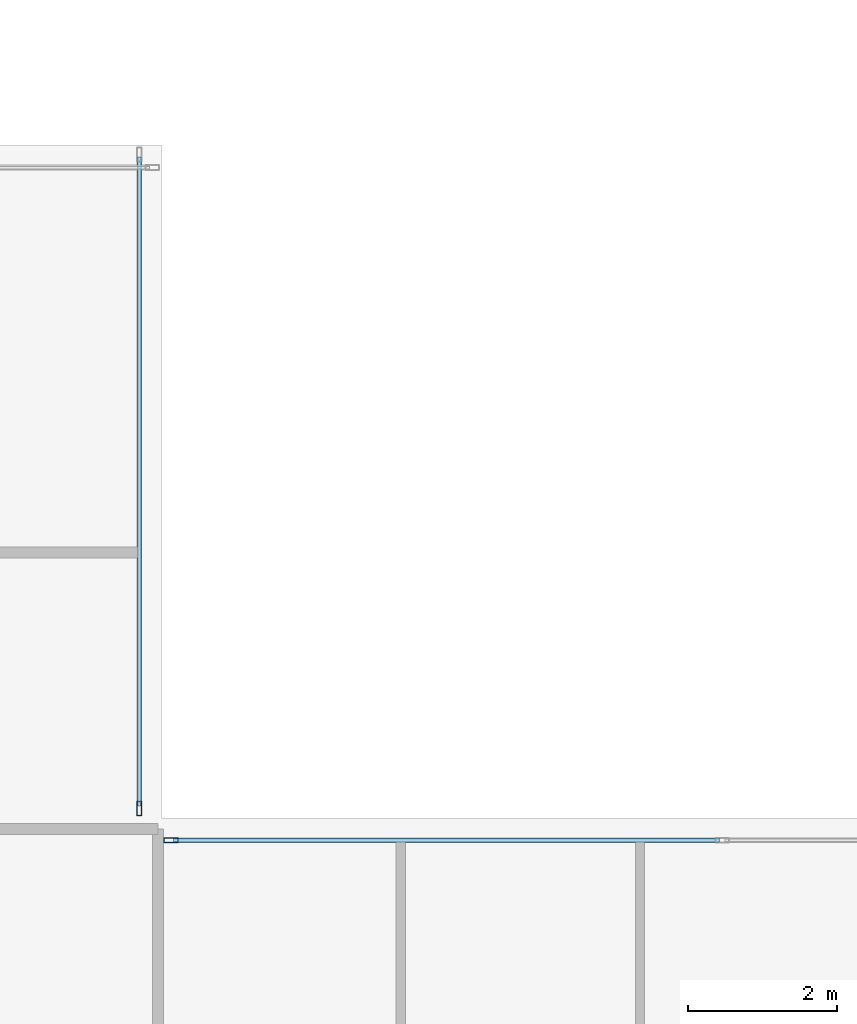
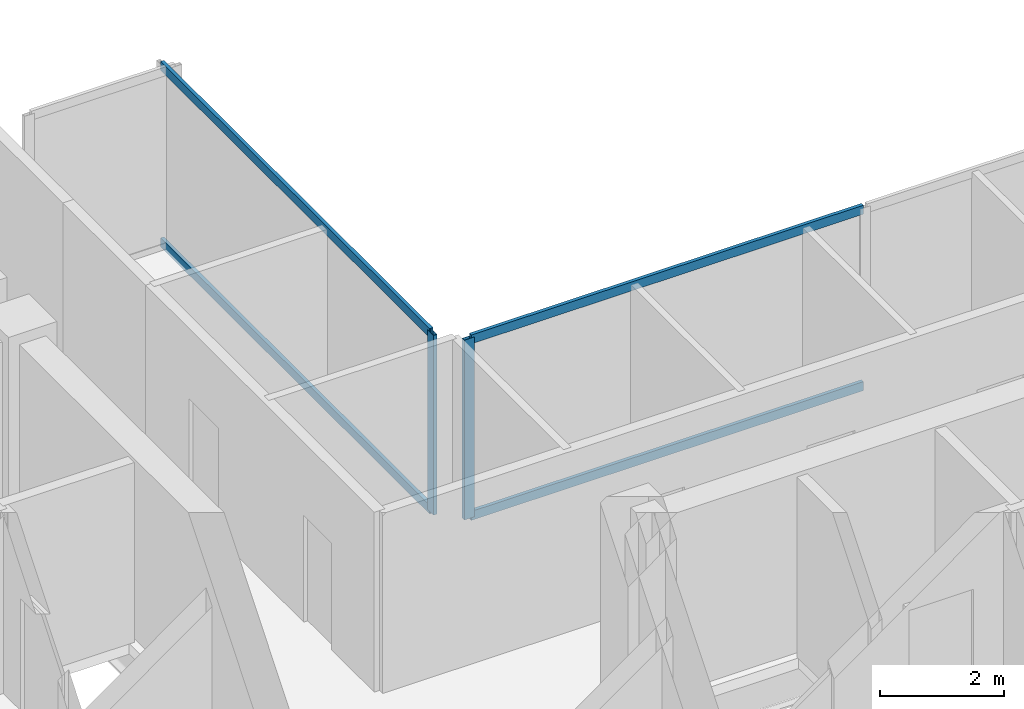
# One storey, part 10 of 25: 6 members, 2 elements without a shape of their own.
"""IFC4 building model written with IfcOpenShell, lengths in metres."""

from ifc_helpers import new_model, si_unit, direction, frame, origin, origin_2d, place, context, subcontext, project, spatial, hollow_rectangle, extrude, material, layer, layer_set, material_profile, profile_set, type_object, element, aggregate, save


model = new_model("IFC4")

# Units and contexts
model_context = context("Model", 3, precision=1e-05, world=origin(), true_north=direction((0.0, 1.0)))
body_context = subcontext(model_context, "Body", "Model", "MODEL_VIEW")
ifc_project = project(units=[si_unit("LENGTHUNIT", "METRE"), si_unit("AREAUNIT", "SQUARE_METRE"), si_unit("VOLUMEUNIT", "CUBIC_METRE"), si_unit("PLANEANGLEUNIT", "RADIAN"), si_unit("MASSUNIT", "GRAM", prefix="KILO"), si_unit("THERMODYNAMICTEMPERATUREUNIT", "KELVIN"), si_unit("POWERUNIT", "WATT")], contexts=[model_context])

# Site, building, storey
site_placement = place(None, origin())
site = spatial("IfcSite", under=ifc_project, at=site_placement, CompositionType="ELEMENT")
building_placement = place(site_placement, origin())
building = spatial("IfcBuilding", under=site, at=building_placement, Name="Svarakhadi Broadcast Tower", CompositionType="ELEMENT")
storey_placement = place(building_placement, frame((0.0, 0.0, 212.39990234375)))
storey = spatial("IfcBuildingStorey", under=building, at=storey_placement, Name="L52", CompositionType="ELEMENT", Elevation=212.39990234375)

# Curtain wall, member
ifc_material = material(Name="Anodised Bronze Aluminium AA 6063-T6", Category="aluminium")
ifc_layer = layer(ifc_material, 0.18994140625)
ifc_layer_set = layer_set([ifc_layer], Name="Anodised Bronze Aluminium AA 6063-T6")
curtain_wall_type = type_object("IfcCurtainWallType", Name="CW_Sys_04", PredefinedType="NOTDEFINED", material=ifc_layer_set)
curtain_wall_1_placement = place(storey_placement, origin())
curtain_wall_1 = element("IfcCurtainWall", 1, at=curtain_wall_1_placement, inside=storey, type_object=curtain_wall_type, Name="L52 Unitised Facade Curtain Wall 09", PredefinedType="NOTDEFINED")
ifc_material_profile_1 = material_profile(ifc_material, hollow_rectangle(XDim=0.070068359375, YDim=0.18994140625, WallThickness=0.005615234375, at=origin_2d()), Name="ALU MULLION 190x70x6")
ifc_profile_set_1 = profile_set([ifc_material_profile_1], Name="Anodised Bronze Aluminium AA 6063-T6")
member_type_1 = type_object("IfcMemberType", Name="CW_Sys_04_Mul", PredefinedType="MULLION", material=ifc_profile_set_1)
member_1_placement = place(storey_placement, frame((23.699951171875, 24.125, 0.0), z_axis=(0.0, 0.0, 1.0), x_axis=(1.0, 0.0, 0.0)))
member_1 = element("IfcMember", 2, at=member_1_placement, type_object=member_type_1, Name="CW-04 mullion 2", PredefinedType="MULLION", context=body_context, shape_type="SweptSolid", body=[
    extrude(hollow_rectangle(XDim=0.070068359375, YDim=0.18994140625, WallThickness=0.005615234375, at=origin_2d()), origin(), (0.0, 0.0, 1.0), 3.5400390625),
])

curtain_wall_2_placement = place(storey_placement, origin())
curtain_wall_2 = element("IfcCurtainWall", 3, at=curtain_wall_2_placement, inside=storey, type_object=curtain_wall_type, Name="L52 Unitised Facade Curtain Wall 10", PredefinedType="NOTDEFINED")
member_2_placement = place(storey_placement, frame((24.125, 23.699951171875, 0.0), z_axis=(0.0, 0.0, 1.0), x_axis=(0.0, 1.0, 0.0)))
member_2 = element("IfcMember", 4, at=member_2_placement, type_object=member_type_1, Name="CW-04 mullion 1", PredefinedType="MULLION", context=body_context, shape_type="SweptSolid", body=[
    extrude(hollow_rectangle(XDim=0.070068359375, YDim=0.18994140625, WallThickness=0.005615234375, at=origin_2d()), origin(), (0.0, 0.0, 1.0), 3.5400390625),
])

# Member
ifc_material_profile_2 = material_profile(ifc_material, hollow_rectangle(XDim=0.06494140625, YDim=0.175048828125, WallThickness=0.0048828125, at=origin_2d()), Name="ALU TRANSOM 175x65x5")
ifc_profile_set_2 = profile_set([ifc_material_profile_2], Name="Anodised Bronze Aluminium AA 6063-T6")
member_type_2 = type_object("IfcMemberType", Name="CW_Sys_04_Trn", PredefinedType="USERDEFINED", material=ifc_profile_set_2)
member_3_placement = place(storey_placement, frame((23.699951171875, 32.840087890625, 0.03271484375), z_axis=(0.0, -1.0, 0.0), x_axis=(1.0, 0.0, 0.0)))
member_3 = element("IfcMember", 5, at=member_3_placement, type_object=member_type_2, Name="CW-04 transom 1.1", ObjectType="TRANSOM", PredefinedType="USERDEFINED", context=body_context, shape_type="SweptSolid", body=[
    extrude(hollow_rectangle(XDim=0.06494140625, YDim=0.175048828125, WallThickness=0.0048828125, at=origin_2d()), origin(), (0.0, 0.0, 1.0), 8.68017578125),
])

member_4_placement = place(storey_placement, frame((23.699951171875, 32.840087890625, 3.507568359375), z_axis=(0.0, -1.0, 0.0), x_axis=(1.0, 0.0, 0.0)))
member_4 = element("IfcMember", 6, at=member_4_placement, type_object=member_type_2, Name="CW-04 transom 1.2", ObjectType="TRANSOM", PredefinedType="USERDEFINED", context=body_context, shape_type="SweptSolid", body=[
    extrude(hollow_rectangle(XDim=0.06494140625, YDim=0.175048828125, WallThickness=0.0048828125, at=origin_2d()), origin(), (0.0, 0.0, 1.0), 8.68017578125),
])

aggregate(curtain_wall_1, [member_1, member_3, member_4])

member_5_placement = place(storey_placement, frame((24.159912109375, 23.699951171875, 0.03271484375), z_axis=(1.0, 0.0, 0.0), x_axis=(0.0, 1.0, 0.0)))
member_5 = element("IfcMember", 7, at=member_5_placement, type_object=member_type_2, Name="CW-04 transom 1.1", ObjectType="TRANSOM", PredefinedType="USERDEFINED", context=body_context, shape_type="SweptSolid", body=[
    extrude(hollow_rectangle(XDim=0.06494140625, YDim=0.175048828125, WallThickness=0.0048828125, at=origin_2d()), origin(), (0.0, 0.0, 1.0), 7.30517578125),
])

member_6_placement = place(storey_placement, frame((24.159912109375, 23.699951171875, 3.507568359375), z_axis=(1.0, 0.0, 0.0), x_axis=(0.0, 1.0, 0.0)))
member_6 = element("IfcMember", 8, at=member_6_placement, type_object=member_type_2, Name="CW-04 transom 1.2", ObjectType="TRANSOM", PredefinedType="USERDEFINED", context=body_context, shape_type="SweptSolid", body=[
    extrude(hollow_rectangle(XDim=0.06494140625, YDim=0.175048828125, WallThickness=0.0048828125, at=origin_2d()), origin(), (0.0, 0.0, 1.0), 7.30517578125),
])

aggregate(curtain_wall_2, [member_2, member_5, member_6])

save(model, "model.ifc")
